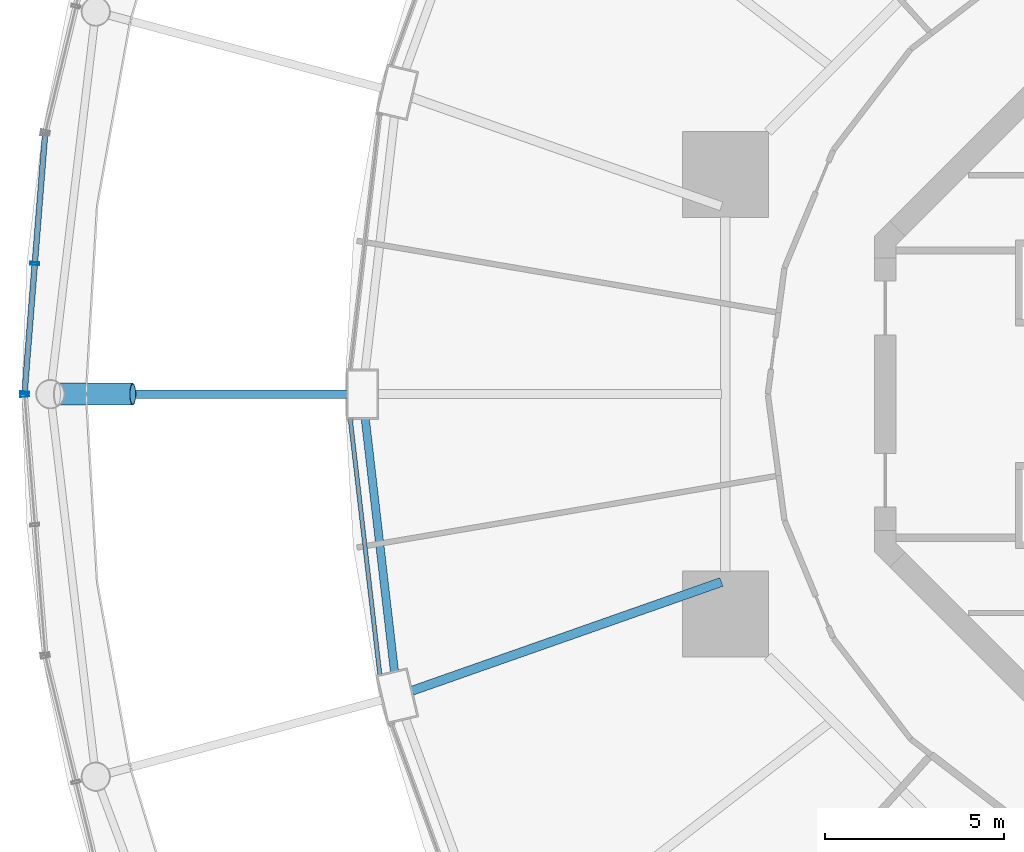
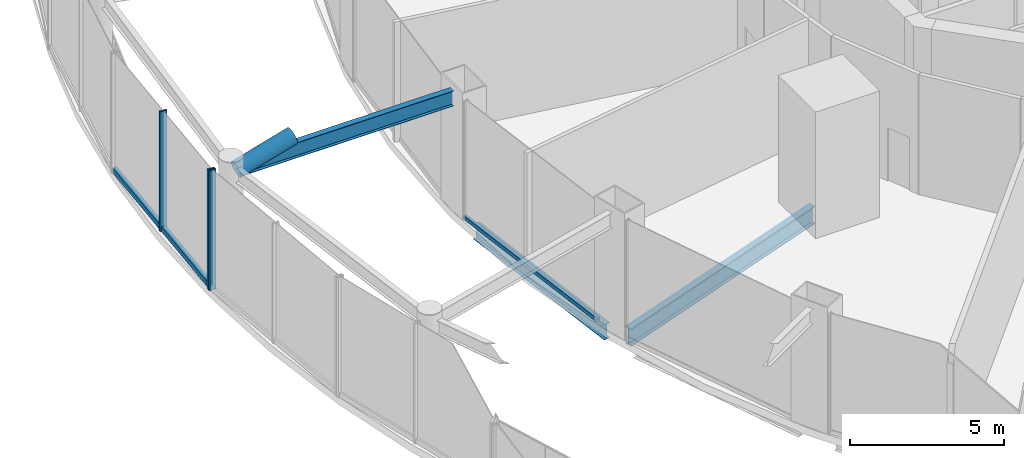
# One storey, part 18 of 52: 6 members, 3 beams, 3 elements without a shape of their own.
"""IFC4 building model written with IfcOpenShell, lengths in metres."""

from ifc_helpers import new_model, si_unit, direction, frame, origin, origin_2d, place, context, subcontext, project, spatial, hollow_rectangle, hollow_circle, i_section, extrude, material, layer, layer_set, material_profile, profile_set, type_object, element, aggregate, save


model = new_model("IFC4")

# Units and contexts
model_context = context("Model", 3, precision=1e-05, world=origin(), true_north=direction((0.0, 1.0)))
body_context = subcontext(model_context, "Body", "Model", "MODEL_VIEW")
ifc_project = project(units=[si_unit("LENGTHUNIT", "METRE"), si_unit("AREAUNIT", "SQUARE_METRE"), si_unit("VOLUMEUNIT", "CUBIC_METRE"), si_unit("PLANEANGLEUNIT", "RADIAN"), si_unit("MASSUNIT", "GRAM", prefix="KILO")], contexts=[model_context])

# Site, building, storey
site_placement = place(None, origin())
site = spatial("IfcSite", under=ifc_project, at=site_placement, CompositionType="ELEMENT")
building_placement = place(site_placement, origin())
building = spatial("IfcBuilding", under=site, at=building_placement, Name="Nagisa Residences", CompositionType="ELEMENT")
storey_placement = place(building_placement, frame((0.0, 0.0, 22.0)))
storey = spatial("IfcBuildingStorey", under=building, at=storey_placement, Name="L04", CompositionType="ELEMENT", Elevation=22.0)

# Beam
ifc_material_1 = material(Name="Steel ASTM A572 Gr 50", Category="steel")
ifc_material_profile_1 = material_profile(ifc_material_1, i_section(OverallWidth=0.22802734375, OverallDepth=0.60302734375, WebThickness=0.010498046875, FlangeThickness=0.014892578125, at=origin_2d()), Name="W610x101")
ifc_profile_set_1 = profile_set([ifc_material_profile_1], Name="Steel ASTM A572 Gr 50")
beam_type_1 = type_object("IfcBeamType", Name="Atrium roof beam W610x101", PredefinedType="BEAM", material=ifc_profile_set_1)
beam_1_placement = place(storey_placement, frame((-25.330078125, 0.0, 4.448486328125), z_axis=(-1.0, 0.0, 0.0), x_axis=(0.0, -1.0, 0.0)))
element("IfcBeam", 1, at=beam_1_placement, inside=storey, type_object=beam_type_1, Name="beam:L04:rer13", PredefinedType="BEAM", context=body_context, shape_type="SweptSolid", body=[
    extrude(i_section(OverallWidth=0.22802734375, OverallDepth=0.60302734375, WebThickness=0.010498046875, FlangeThickness=0.014892578125, at=origin_2d()), origin(), (0.0, 0.0, 1.0), 7.88330078125),
])

# Curtain wall, members
ifc_material_2 = material(Name="Stainless steel curtain wall system", Category="steel")
ifc_layer_1 = layer(ifc_material_2, 0.159912109375)
ifc_layer_set_1 = layer_set([ifc_layer_1], Name="CW3 CURTAIN WALL")
curtain_wall_type_1 = type_object("IfcCurtainWallType", Name="CW3 CURTAIN WALL", PredefinedType="NOTDEFINED", material=ifc_layer_set_1)
curtain_wall_1_placement = place(storey_placement, origin())
curtain_wall_1 = element("IfcCurtainWall", 2, at=curtain_wall_1_placement, inside=storey, type_object=curtain_wall_type_1, Name="cw:CW3:L04:17", PredefinedType="NOTDEFINED")
ifc_material_3 = material(Name="Stainless steel", Category="steel")
ifc_material_profile_2 = material_profile(ifc_material_3, hollow_rectangle(XDim=0.25, YDim=0.080078125, WallThickness=0.008056640625, at=origin_2d()), Name="CW3 MULLION 250x80")
ifc_profile_set_2 = profile_set([ifc_material_profile_2], Name="Stainless steel")
member_type_1 = type_object("IfcMemberType", Name="CW3 MULLION 250x80", PredefinedType="MULLION", material=ifc_profile_set_2)
member_1_placement = place(storey_placement, frame((-34.031494140625, 3.640380859375, 0.0), z_axis=(0.0, 0.0, 1.0), x_axis=(0.996881777235, -0.078909582539, 0.0)))
member_1 = element("IfcMember", 3, at=member_1_placement, type_object=member_type_1, Name="CW3 mullion", PredefinedType="MULLION", context=body_context, shape_type="SweptSolid", body=[
    extrude(hollow_rectangle(XDim=0.25, YDim=0.080078125, WallThickness=0.008056640625, at=origin_2d()), origin(), (0.0, 0.0, 1.0), 4.739990234375),
])
member_2_placement = place(storey_placement, frame((-34.317138671875, 0.033447265625, 0.0), z_axis=(0.0, 0.0, 1.0), x_axis=(0.996881777235, -0.078909582539, 0.0)))
member_2 = element("IfcMember", 4, at=member_2_placement, type_object=member_type_1, Name="CW3 mullion", PredefinedType="MULLION", context=body_context, shape_type="SweptSolid", body=[
    extrude(hollow_rectangle(XDim=0.25, YDim=0.080078125, WallThickness=0.008056640625, at=origin_2d()), origin(), (0.0, 0.0, 1.0), 4.739990234375),
])

# Curtain wall, member
curtain_wall_2_placement = place(storey_placement, origin())
curtain_wall_2 = element("IfcCurtainWall", 5, at=curtain_wall_2_placement, inside=storey, type_object=curtain_wall_type_1, Name="cw:CW3:L04:18", PredefinedType="NOTDEFINED")
member_3_placement = place(storey_placement, frame((-34.317138671875, -0.033447265625, 0.0), z_axis=(0.0, 0.0, 1.0), x_axis=(0.996881777235, 0.078909582539, 0.0)))
member_3 = element("IfcMember", 6, at=member_3_placement, type_object=member_type_1, Name="CW3 mullion", PredefinedType="MULLION", context=body_context, shape_type="SweptSolid", body=[
    extrude(hollow_rectangle(XDim=0.25, YDim=0.080078125, WallThickness=0.008056640625, at=origin_2d()), origin(), (0.0, 0.0, 1.0), 4.739990234375),
])
aggregate(curtain_wall_2, [member_3])

# Member
ifc_material_4 = material(Name="Stainless steel", Category="steel")
ifc_material_profile_3 = material_profile(ifc_material_4, hollow_rectangle(XDim=0.159912109375, YDim=0.199951171875, WallThickness=0.008056640625, at=origin_2d()), Name="CW3 TRANSOM 160x200")
ifc_profile_set_3 = profile_set([ifc_material_profile_3], Name="Stainless steel")
member_type_2 = type_object("IfcMemberType", Name="CW3 TRANSOM 160x200", PredefinedType="USERDEFINED", material=ifc_profile_set_3)
member_4_placement = place(storey_placement, frame((-33.742919921875, 7.286865234375, 0.10009765625), z_axis=(-0.078921540002, -0.996880830653, 0.0), x_axis=(0.996880830653, -0.078921540002, 0.0)))
member_4 = element("IfcMember", 7, at=member_4_placement, type_object=member_type_2, Name="CW3 transom", ObjectType="TRANSOM", PredefinedType="USERDEFINED", context=body_context, shape_type="SweptSolid", body=[
    extrude(hollow_rectangle(XDim=0.159912109375, YDim=0.199951171875, WallThickness=0.008056640625, at=origin_2d()), origin(), (0.0, 0.0, 1.0), 7.31591796875),
])

aggregate(curtain_wall_1, [member_1, member_2, member_4])

# Curtain wall, member
ifc_material_5 = material(Name="Stainless steel curtain wall system", Category="steel")
ifc_layer_2 = layer(ifc_material_5, 0.159912109375)
ifc_layer_set_2 = layer_set([ifc_layer_2], Name="CW6 CURTAIN WALL")
curtain_wall_type_2 = type_object("IfcCurtainWallType", Name="CW6 CURTAIN WALL", PredefinedType="NOTDEFINED", material=ifc_layer_set_2)
curtain_wall_3_placement = place(storey_placement, origin())
curtain_wall_3 = element("IfcCurtainWall", 8, at=curtain_wall_3_placement, inside=storey, type_object=curtain_wall_type_2, Name="cw:CW6:L04:24", PredefinedType="NOTDEFINED")
ifc_material_6 = material(Name="Stainless steel", Category="steel")
ifc_material_profile_4 = material_profile(ifc_material_6, hollow_rectangle(XDim=0.1201171875, YDim=0.14990234375, WallThickness=0.008056640625, at=origin_2d()), Name="CW6 TRANSOM 120x150")
ifc_profile_set_4 = profile_set([ifc_material_profile_4], Name="Stainless steel")
member_type_3 = type_object("IfcMemberType", Name="CW6 TRANSOM 120x150", PredefinedType="USERDEFINED", material=ifc_profile_set_4)
member_5_placement = place(storey_placement, frame((-25.239990234375, -0.686279296875, 0.074951171875), z_axis=(0.114916347997, -0.993375172311, 0.0), x_axis=(0.993375172311, 0.114916347997, 0.0)))
member_5 = element("IfcMember", 9, at=member_5_placement, type_object=member_type_3, Name="CW6 transom", ObjectType="TRANSOM", PredefinedType="USERDEFINED", context=body_context, shape_type="SweptSolid", body=[
    extrude(hollow_rectangle(XDim=0.1201171875, YDim=0.14990234375, WallThickness=0.008056640625, at=origin_2d()), origin(), (0.0, 0.0, 1.0), 7.19775390625),
])
aggregate(curtain_wall_3, [member_5])

# Member
ifc_material_7 = material(Name="Steel ASTM A572 Gr 65", Category="steel")
ifc_material_profile_5 = material_profile(ifc_material_7, hollow_circle(Radius=0.304931640625, WallThickness=0.02490234375, at=origin_2d()), Name="CHS 610x25")
ifc_profile_set_5 = profile_set([ifc_material_profile_5], Name="Steel ASTM A572 Gr 65")
member_type_4 = type_object("IfcMemberType", Name="Cage strut CHS 610x25", PredefinedType="STRUT", material=ifc_profile_set_5)
member_6_placement = place(storey_placement, frame((-31.300048828125, 0.0, 5.0), z_axis=(-0.961507071842, 0.0, -0.274780186326), x_axis=(0.0, -1.0, 0.0)))
element("IfcMember", 10, at=member_6_placement, inside=storey, type_object=member_type_4, Name="mem:L04:cg1tie07", PredefinedType="STRUT", context=body_context, shape_type="SweptSolid", body=[
    extrude(hollow_circle(Radius=0.304931640625, WallThickness=0.02490234375, at=origin_2d()), origin(), (0.0, 0.0, 1.0), 2.183837890625),
])

# Beams
ifc_material_8 = material(Name="Steel ASTM A572 Gr 50", Category="steel")
ifc_material_profile_6 = material_profile(ifc_material_8, i_section(OverallWidth=0.22802734375, OverallDepth=0.60302734375, WebThickness=0.010498046875, FlangeThickness=0.014892578125, at=origin_2d()), Name="W610x101")
ifc_profile_set_6 = profile_set([ifc_material_profile_6], Name="Steel ASTM A572 Gr 50")
beam_type_2 = type_object("IfcBeamType", Name="Perimeter ring beam W610x101", PredefinedType="BEAM", material=ifc_profile_set_6)
beam_2_placement = place(storey_placement, frame((-24.821533203125, -0.68017578125, -0.6015625), z_axis=(0.114707660057, -0.993399291687, 0.0), x_axis=(0.993399291687, 0.114707660057, 0.0)))
element("IfcBeam", 11, at=beam_2_placement, inside=storey, type_object=beam_type_2, Name="beam:L04:pb13", PredefinedType="BEAM", context=body_context, shape_type="SweptSolid", body=[
    extrude(i_section(OverallWidth=0.22802734375, OverallDepth=0.60302734375, WebThickness=0.010498046875, FlangeThickness=0.014892578125, at=origin_2d()), origin(), (0.0, 0.0, 1.0), 7.09814453125),
])
ifc_material_9 = material(Name="Steel ASTM A572 Gr 50", Category="steel")
ifc_material_profile_7 = material_profile(ifc_material_9, i_section(OverallWidth=0.25390625, OverallDepth=0.68408203125, WebThickness=0.012451171875, FlangeThickness=0.018798828125, at=origin_2d()), Name="W690x140")
ifc_profile_set_7 = profile_set([ifc_material_profile_7], Name="Steel ASTM A572 Gr 50")
beam_type_3 = type_object("IfcBeamType", Name="Radial beam W690x140", PredefinedType="BEAM", material=ifc_profile_set_7)
beam_3_placement = place(storey_placement, frame((-23.520751953125, -8.26806640625, -0.64208984375), z_axis=(0.943414535235, 0.331615763659, 0.0), x_axis=(-0.331615763659, 0.943414535235, 0.0)))
element("IfcBeam", 12, at=beam_3_placement, inside=storey, type_object=beam_type_3, Name="beam:L04:rb14", PredefinedType="BEAM", context=body_context, shape_type="SweptSolid", body=[
    extrude(i_section(OverallWidth=0.25390625, OverallDepth=0.68408203125, WebThickness=0.012451171875, FlangeThickness=0.018798828125, at=origin_2d()), origin(), (0.0, 0.0, 1.0), 9.142333984375),
])

save(model, "model.ifc")
